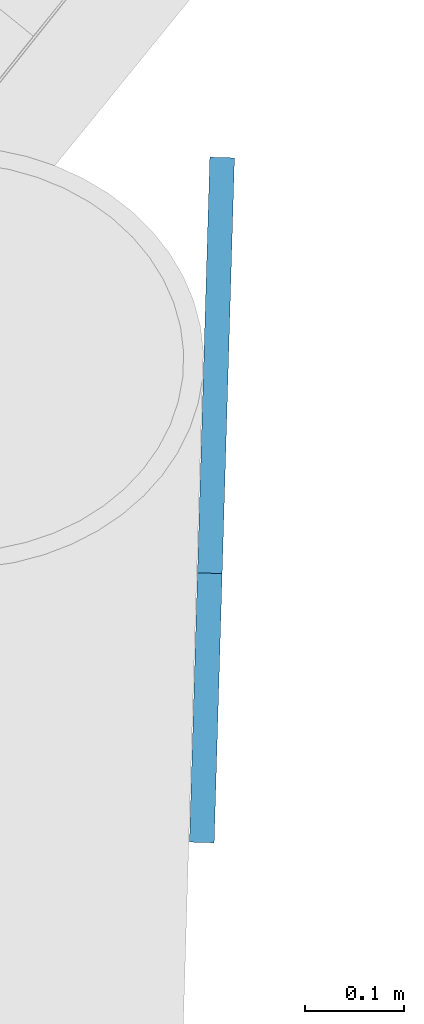
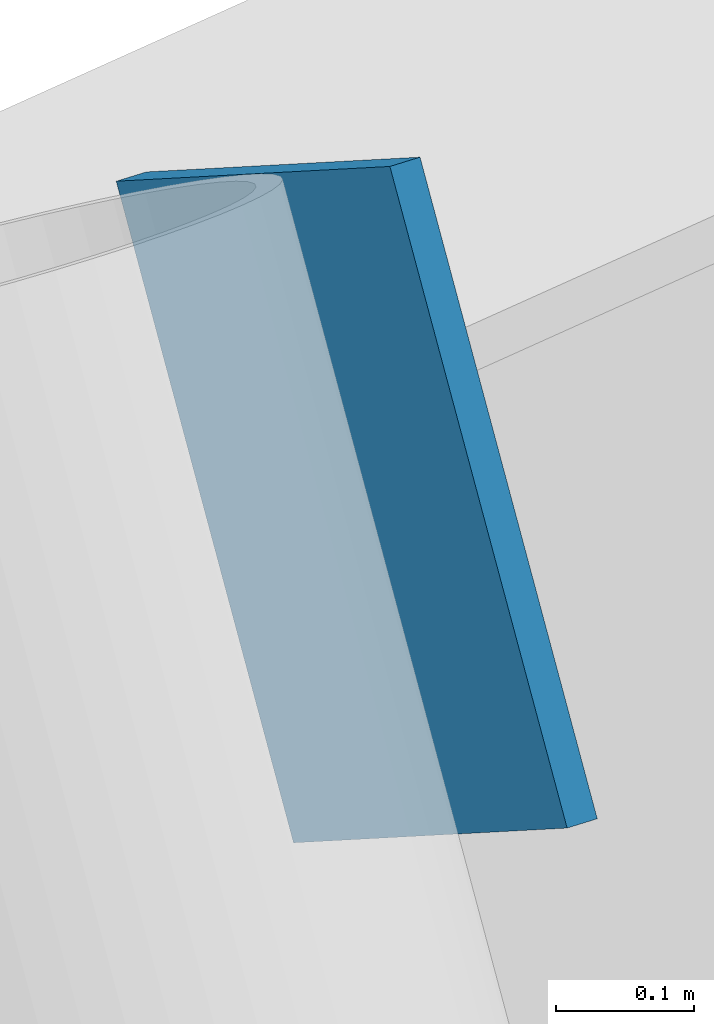
# One storey, part 11 of 22: 1 discrete accessory.
"""IFC4 building model written with IfcOpenShell, lengths in metres."""

from ifc_helpers import new_model, si_unit, direction, frame, origin, origin_2d, place, context, subcontext, project, spatial, rectangle, extrude, material, material_profile, profile_set, type_object, element, save


model = new_model("IFC4")

# Units and contexts
model_context = context("Model", 3, precision=1e-05, world=origin(), true_north=direction((0.0, 1.0)))
body_context = subcontext(model_context, "Body", "Model", "MODEL_VIEW")
ifc_project = project(units=[si_unit("LENGTHUNIT", "METRE"), si_unit("AREAUNIT", "SQUARE_METRE"), si_unit("VOLUMEUNIT", "CUBIC_METRE"), si_unit("PLANEANGLEUNIT", "RADIAN"), si_unit("MASSUNIT", "GRAM", prefix="KILO")], contexts=[model_context])

# Site, building, storey
site_placement = place(None, origin())
site = spatial("IfcSite", under=ifc_project, at=site_placement, CompositionType="ELEMENT")
building_placement = place(site_placement, origin())
building = spatial("IfcBuilding", under=site, at=building_placement, Name="Tarsis Ring Headquarters", CompositionType="ELEMENT")
storey_placement = place(building_placement, frame((0.0, 0.0, 263.0)))
storey = spatial("IfcBuildingStorey", under=building, at=storey_placement, Name="L61", CompositionType="ELEMENT", Elevation=263.0)

# Discrete accessory
ifc_material = material(Name="Structural steel S355", Category="steel")
ifc_material_profile = material_profile(ifc_material, rectangle(XDim=0.02490234375, YDim=0.5, at=origin_2d()), Name="PL 25x500")
ifc_profile_set = profile_set([ifc_material_profile], Name="Structural steel S355")
discrete_accessory_type = type_object("IfcDiscreteAccessoryType", Name="Gusset plate Exo brace 25", PredefinedType="BRACKET", material=ifc_profile_set)
discrete_accessory_placement = place(storey_placement, frame((19.22802734375, -22.01416015625, 7.800048828125), z_axis=(-0.016112292102, -0.543423669982, -0.839303943126), x_axis=(0.999560740331, -0.029636571816, 0.0)))
element("IfcDiscreteAccessory", 1, at=discrete_accessory_placement, inside=storey, type_object=discrete_accessory_type, Name="Gusset plate GP5", PredefinedType="BRACKET", context=body_context, shape_type="SweptSolid", body=[
    extrude(rectangle(XDim=0.02490234375, YDim=0.5, at=origin_2d()), origin(), (0.0, 0.0, 1.0), 0.5),
])

save(model, "model.ifc")
